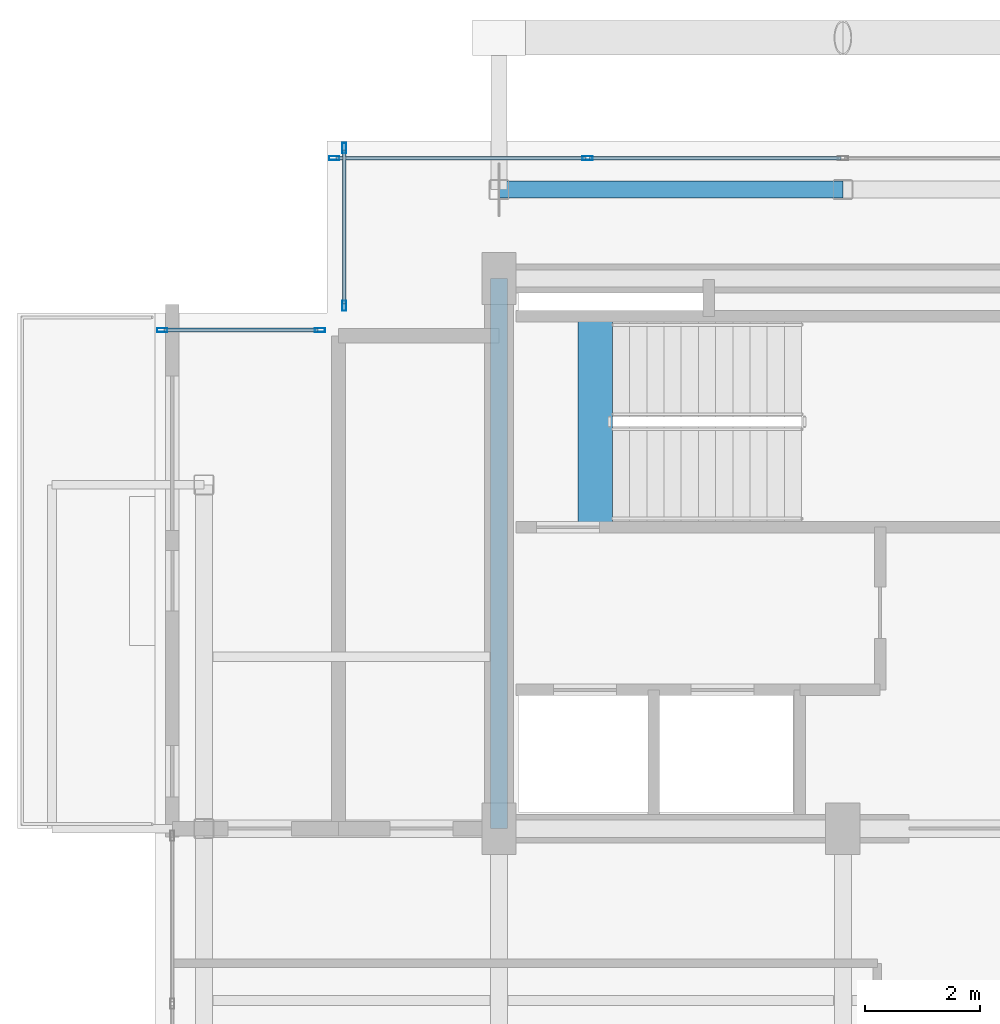
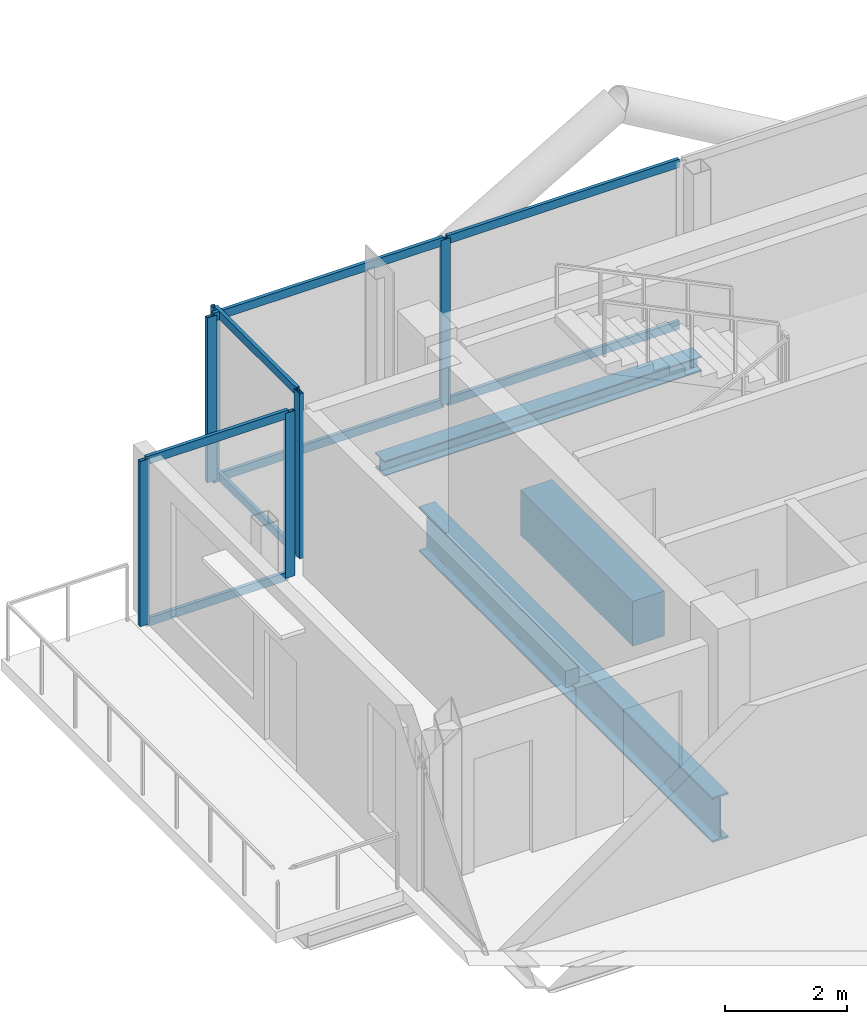
# One storey, part 8 of 19: 14 members, 3 beams, 3 elements without a shape of their own.
"""IFC4 building model written with IfcOpenShell, lengths in metres."""

from ifc_helpers import new_model, si_unit, direction, frame, origin, origin_2d, place, context, subcontext, project, spatial, rectangle, hollow_rectangle, i_section, extrude, material, layer, layer_set, material_profile, profile_set, type_object, element, aggregate, save


model = new_model("IFC4")

# Units and contexts
model_context = context("Model", 3, precision=1e-05, world=origin(), true_north=direction((0.0, 1.0)))
body_context = subcontext(model_context, "Body", "Model", "MODEL_VIEW")
ifc_project = project(units=[si_unit("LENGTHUNIT", "METRE"), si_unit("AREAUNIT", "SQUARE_METRE"), si_unit("VOLUMEUNIT", "CUBIC_METRE"), si_unit("PLANEANGLEUNIT", "RADIAN"), si_unit("MASSUNIT", "GRAM", prefix="KILO"), si_unit("THERMODYNAMICTEMPERATUREUNIT", "KELVIN"), si_unit("POWERUNIT", "WATT")], contexts=[model_context])

# Site, building, storey
site_placement = place(None, origin())
site = spatial("IfcSite", under=ifc_project, at=site_placement, CompositionType="ELEMENT")
building_placement = place(site_placement, origin())
building = spatial("IfcBuilding", under=site, at=building_placement, Name="Svarakhadi Broadcast Tower", CompositionType="ELEMENT")
storey_placement = place(building_placement, frame((0.0, 0.0, 285.199951171875)))
storey = spatial("IfcBuildingStorey", under=building, at=storey_placement, Name="L72", CompositionType="ELEMENT", Elevation=285.199951171875)

# Curtain wall, members
ifc_material_1 = material(Name="Anodised Bronze Aluminium AA 6063-T6", Category="aluminium")
ifc_layer = layer(ifc_material_1, 0.179931640625)
ifc_layer_set = layer_set([ifc_layer], Name="Anodised Bronze Aluminium AA 6063-T6")
curtain_wall_type = type_object("IfcCurtainWallType", Name="CW_Sys_05", PredefinedType="NOTDEFINED", material=ifc_layer_set)
curtain_wall_1_placement = place(storey_placement, origin())
curtain_wall_1 = element("IfcCurtainWall", 1, at=curtain_wall_1_placement, inside=storey, type_object=curtain_wall_type, Name="L72 Unitised Facade Curtain Wall 03", PredefinedType="NOTDEFINED")
ifc_material_profile_1 = material_profile(ifc_material_1, hollow_rectangle(XDim=0.070068359375, YDim=0.179931640625, WallThickness=0.005615234375, at=origin_2d()), Name="ALU MULLION 180x70x6")
ifc_profile_set_1 = profile_set([ifc_material_profile_1], Name="Anodised Bronze Aluminium AA 6063-T6")
member_type_1 = type_object("IfcMemberType", Name="CW_Sys_05_Mul", PredefinedType="MULLION", material=ifc_profile_set_1)
member_1_placement = place(storey_placement, frame((0.125, 26.699951171875, 0.0), z_axis=(0.0, 0.0, 1.0), x_axis=(0.0, 1.0, 0.0)))
member_1 = element("IfcMember", 2, at=member_1_placement, type_object=member_type_1, Name="CW-05 mullion 1", PredefinedType="MULLION", context=body_context, shape_type="SweptSolid", body=[
    extrude(hollow_rectangle(XDim=0.070068359375, YDim=0.179931640625, WallThickness=0.005615234375, at=origin_2d()), origin(), (0.0, 0.0, 1.0), 3.300048828125),
])
member_2_placement = place(storey_placement, frame((2.875, 26.699951171875, 0.0), z_axis=(0.0, 0.0, 1.0), x_axis=(0.0, 1.0, 0.0)))
member_2 = element("IfcMember", 3, at=member_2_placement, type_object=member_type_1, Name="CW-05 mullion 2", PredefinedType="MULLION", context=body_context, shape_type="SweptSolid", body=[
    extrude(hollow_rectangle(XDim=0.070068359375, YDim=0.179931640625, WallThickness=0.005615234375, at=origin_2d()), origin(), (0.0, 0.0, 1.0), 3.300048828125),
])

curtain_wall_2_placement = place(storey_placement, origin())
curtain_wall_2 = element("IfcCurtainWall", 4, at=curtain_wall_2_placement, inside=storey, type_object=curtain_wall_type, Name="L72 Unitised Facade Curtain Wall 04", PredefinedType="NOTDEFINED")
member_3_placement = place(storey_placement, frame((3.300048828125, 27.125, 0.0), z_axis=(0.0, 0.0, 1.0), x_axis=(-1.0, 0.0, 0.0)))
member_3 = element("IfcMember", 5, at=member_3_placement, type_object=member_type_1, Name="CW-05 mullion 1", PredefinedType="MULLION", context=body_context, shape_type="SweptSolid", body=[
    extrude(hollow_rectangle(XDim=0.070068359375, YDim=0.179931640625, WallThickness=0.005615234375, at=origin_2d()), origin(), (0.0, 0.0, 1.0), 3.300048828125),
])
member_4_placement = place(storey_placement, frame((3.300048828125, 29.875, 0.0), z_axis=(0.0, 0.0, 1.0), x_axis=(-1.0, 0.0, 0.0)))
member_4 = element("IfcMember", 6, at=member_4_placement, type_object=member_type_1, Name="CW-05 mullion 2", PredefinedType="MULLION", context=body_context, shape_type="SweptSolid", body=[
    extrude(hollow_rectangle(XDim=0.070068359375, YDim=0.179931640625, WallThickness=0.005615234375, at=origin_2d()), origin(), (0.0, 0.0, 1.0), 3.300048828125),
])

curtain_wall_3_placement = place(storey_placement, origin())
curtain_wall_3 = element("IfcCurtainWall", 7, at=curtain_wall_3_placement, inside=storey, type_object=curtain_wall_type, Name="L72 Unitised Facade Curtain Wall 05", PredefinedType="NOTDEFINED")
member_5_placement = place(storey_placement, frame((3.125, 29.699951171875, 0.0), z_axis=(0.0, 0.0, 1.0), x_axis=(0.0, 1.0, 0.0)))
member_5 = element("IfcMember", 8, at=member_5_placement, type_object=member_type_1, Name="CW-05 mullion 1", PredefinedType="MULLION", context=body_context, shape_type="SweptSolid", body=[
    extrude(hollow_rectangle(XDim=0.070068359375, YDim=0.179931640625, WallThickness=0.005615234375, at=origin_2d()), origin(), (0.0, 0.0, 1.0), 3.300048828125),
])
member_6_placement = place(storey_placement, frame((7.544921875, 29.699951171875, 0.0), z_axis=(0.0, 0.0, 1.0), x_axis=(0.0, 1.0, 0.0)))
member_6 = element("IfcMember", 9, at=member_6_placement, type_object=member_type_1, Name="CW-05 mullion 2", PredefinedType="MULLION", context=body_context, shape_type="SweptSolid", body=[
    extrude(hollow_rectangle(XDim=0.070068359375, YDim=0.179931640625, WallThickness=0.005615234375, at=origin_2d()), origin(), (0.0, 0.0, 1.0), 3.300048828125),
])

# Member
ifc_material_profile_2 = material_profile(ifc_material_1, hollow_rectangle(XDim=0.06494140625, YDim=0.1650390625, WallThickness=0.0048828125, at=origin_2d()), Name="ALU TRANSOM 165x65x5")
ifc_profile_set_2 = profile_set([ifc_material_profile_2], Name="Anodised Bronze Aluminium AA 6063-T6")
member_type_2 = type_object("IfcMemberType", Name="CW_Sys_05_Trn", PredefinedType="USERDEFINED", material=ifc_profile_set_2)
member_7_placement = place(storey_placement, frame((0.159912109375, 26.699951171875, 0.032470703125), z_axis=(1.0, 0.0, 0.0), x_axis=(0.0, 1.0, 0.0)))
member_7 = element("IfcMember", 10, at=member_7_placement, type_object=member_type_2, Name="CW-05 transom 1.1", ObjectType="TRANSOM", PredefinedType="USERDEFINED", context=body_context, shape_type="SweptSolid", body=[
    extrude(hollow_rectangle(XDim=0.06494140625, YDim=0.1650390625, WallThickness=0.0048828125, at=origin_2d()), origin(), (0.0, 0.0, 1.0), 2.68017578125),
])

member_8_placement = place(storey_placement, frame((0.159912109375, 26.699951171875, 3.267578125), z_axis=(1.0, 0.0, 0.0), x_axis=(0.0, 1.0, 0.0)))
member_8 = element("IfcMember", 11, at=member_8_placement, type_object=member_type_2, Name="CW-05 transom 1.2", ObjectType="TRANSOM", PredefinedType="USERDEFINED", context=body_context, shape_type="SweptSolid", body=[
    extrude(hollow_rectangle(XDim=0.06494140625, YDim=0.1650390625, WallThickness=0.0048828125, at=origin_2d()), origin(), (0.0, 0.0, 1.0), 2.68017578125),
])

aggregate(curtain_wall_1, [member_1, member_2, member_7, member_8])

member_9_placement = place(storey_placement, frame((3.300048828125, 27.159912109375, 0.032470703125), z_axis=(0.0, 1.0, 0.0), x_axis=(-1.0, 0.0, 0.0)))
member_9 = element("IfcMember", 12, at=member_9_placement, type_object=member_type_2, Name="CW-05 transom 1.1", ObjectType="TRANSOM", PredefinedType="USERDEFINED", context=body_context, shape_type="SweptSolid", body=[
    extrude(hollow_rectangle(XDim=0.06494140625, YDim=0.1650390625, WallThickness=0.0048828125, at=origin_2d()), origin(), (0.0, 0.0, 1.0), 2.68017578125),
])

member_10_placement = place(storey_placement, frame((3.300048828125, 27.159912109375, 3.267578125), z_axis=(0.0, 1.0, 0.0), x_axis=(-1.0, 0.0, 0.0)))
member_10 = element("IfcMember", 13, at=member_10_placement, type_object=member_type_2, Name="CW-05 transom 1.2", ObjectType="TRANSOM", PredefinedType="USERDEFINED", context=body_context, shape_type="SweptSolid", body=[
    extrude(hollow_rectangle(XDim=0.06494140625, YDim=0.1650390625, WallThickness=0.0048828125, at=origin_2d()), origin(), (0.0, 0.0, 1.0), 2.68017578125),
])

aggregate(curtain_wall_2, [member_3, member_4, member_9, member_10])

member_11_placement = place(storey_placement, frame((3.159912109375, 29.699951171875, 0.032470703125), z_axis=(1.0, 0.0, 0.0), x_axis=(0.0, 1.0, 0.0)))
member_11 = element("IfcMember", 14, at=member_11_placement, type_object=member_type_2, Name="CW-05 transom 1.1", ObjectType="TRANSOM", PredefinedType="USERDEFINED", context=body_context, shape_type="SweptSolid", body=[
    extrude(hollow_rectangle(XDim=0.06494140625, YDim=0.1650390625, WallThickness=0.0048828125, at=origin_2d()), origin(), (0.0, 0.0, 1.0), 4.35009765625),
])

member_12_placement = place(storey_placement, frame((3.159912109375, 29.699951171875, 3.267578125), z_axis=(1.0, 0.0, 0.0), x_axis=(0.0, 1.0, 0.0)))
member_12 = element("IfcMember", 15, at=member_12_placement, type_object=member_type_2, Name="CW-05 transom 1.2", ObjectType="TRANSOM", PredefinedType="USERDEFINED", context=body_context, shape_type="SweptSolid", body=[
    extrude(hollow_rectangle(XDim=0.06494140625, YDim=0.1650390625, WallThickness=0.0048828125, at=origin_2d()), origin(), (0.0, 0.0, 1.0), 4.35009765625),
])

member_13_placement = place(storey_placement, frame((7.580078125, 29.699951171875, 0.032470703125), z_axis=(1.0, 0.0, 0.0), x_axis=(0.0, 1.0, 0.0)))
member_13 = element("IfcMember", 16, at=member_13_placement, type_object=member_type_2, Name="CW-05 transom 2.1", ObjectType="TRANSOM", PredefinedType="USERDEFINED", context=body_context, shape_type="SweptSolid", body=[
    extrude(hollow_rectangle(XDim=0.06494140625, YDim=0.1650390625, WallThickness=0.0048828125, at=origin_2d()), origin(), (0.0, 0.0, 1.0), 4.385009765625),
])

member_14_placement = place(storey_placement, frame((7.580078125, 29.699951171875, 3.267578125), z_axis=(1.0, 0.0, 0.0), x_axis=(0.0, 1.0, 0.0)))
member_14 = element("IfcMember", 17, at=member_14_placement, type_object=member_type_2, Name="CW-05 transom 2.2", ObjectType="TRANSOM", PredefinedType="USERDEFINED", context=body_context, shape_type="SweptSolid", body=[
    extrude(hollow_rectangle(XDim=0.06494140625, YDim=0.1650390625, WallThickness=0.0048828125, at=origin_2d()), origin(), (0.0, 0.0, 1.0), 4.385009765625),
])

aggregate(curtain_wall_3, [member_5, member_6, member_11, member_12, member_13, member_14])

# Beams
ifc_material_2 = material(Name="Concrete C50/60 (IS 456 M60)", Category="concrete")
ifc_material_profile_3 = material_profile(ifc_material_2, rectangle(XDim=0.60009765625, YDim=0.89990234375, at=origin_2d()), Name="RC 600x900")
ifc_profile_set_3 = profile_set([ifc_material_profile_3], Name="Concrete C50/60 (IS 456 M60)")
beam_type_1 = type_object("IfcBeamType", Name="Coupling_RC600", PredefinedType="USERDEFINED", material=ifc_profile_set_3)
beam_1_placement = place(storey_placement, frame((7.679931640625, 23.260009765625, -0.449951171875), z_axis=(0.0, 1.0, 0.0), x_axis=(-1.0, 0.0, 0.0)))
element("IfcBeam", 18, at=beam_1_placement, inside=storey, type_object=beam_type_1, Name="L72 Stair ST-01 Landing Throat Trimmer Beam CB-01", ObjectType="GIRDER", PredefinedType="USERDEFINED", context=body_context, shape_type="SweptSolid", body=[
    extrude(rectangle(XDim=0.60009765625, YDim=0.89990234375, at=origin_2d()), origin(), (0.0, 0.0, 1.0), 3.679931640625),
])
ifc_material_3 = material(Name="Steel S355J2 (IS 2062 E350C)", Category="steel")
ifc_material_profile_4 = material_profile(ifc_material_3, i_section(OverallWidth=0.300048828125, OverallDepth=0.300048828125, WebThickness=0.010986328125, FlangeThickness=0.01904296875, FilletRadius=0.027099609375, at=origin_2d()), Name="WPB 300x300x117")
ifc_profile_set_4 = profile_set([ifc_material_profile_4], Name="Steel S355J2 (IS 2062 E350C)")
beam_type_2 = type_object("IfcBeamType", Name="Girder_WPB300", PredefinedType="USERDEFINED", material=ifc_profile_set_4)
beam_2_placement = place(storey_placement, frame((6.0, 29.14990234375, -0.349853515625), z_axis=(1.0, 0.0, 0.0), x_axis=(0.0, 1.0, 0.0)))
element("IfcBeam", 19, at=beam_2_placement, inside=storey, type_object=beam_type_2, Name="L72 Primary E-W Girder G024", ObjectType="GIRDER", PredefinedType="USERDEFINED", context=body_context, shape_type="SweptSolid", body=[
    extrude(i_section(OverallWidth=0.300048828125, OverallDepth=0.300048828125, WebThickness=0.010986328125, FlangeThickness=0.01904296875, FilletRadius=0.027099609375, at=origin_2d()), origin(), (0.0, 0.0, 1.0), 6.0),
])
ifc_material_4 = material(Name="Steel S460ML (IS 2062 E450BR)", Category="steel")
ifc_material_profile_5 = material_profile(ifc_material_4, i_section(OverallWidth=0.300048828125, OverallDepth=0.89990234375, WebThickness=0.0185546875, FlangeThickness=0.034912109375, FilletRadius=0.030029296875, at=origin_2d()), Name="WPB 900x300x291")
ifc_profile_set_5 = profile_set([ifc_material_profile_5], Name="Steel S460ML (IS 2062 E450BR)")
beam_type_3 = type_object("IfcBeamType", Name="Girder_WPB900", PredefinedType="USERDEFINED", material=ifc_profile_set_5)
beam_3_placement = place(storey_placement, frame((6.0, 18.0, -0.64990234375), z_axis=(0.0, 1.0, 0.0), x_axis=(-1.0, 0.0, 0.0)))
element("IfcBeam", 20, at=beam_3_placement, inside=storey, type_object=beam_type_3, Name="L72 Primary N-S Girder G032", ObjectType="GIRDER", PredefinedType="USERDEFINED", context=body_context, shape_type="SweptSolid", body=[
    extrude(i_section(OverallWidth=0.300048828125, OverallDepth=0.89990234375, WebThickness=0.0185546875, FlangeThickness=0.034912109375, FilletRadius=0.030029296875, at=origin_2d()), origin(), (0.0, 0.0, 1.0), 9.60009765625),
])

save(model, "model.ifc")
